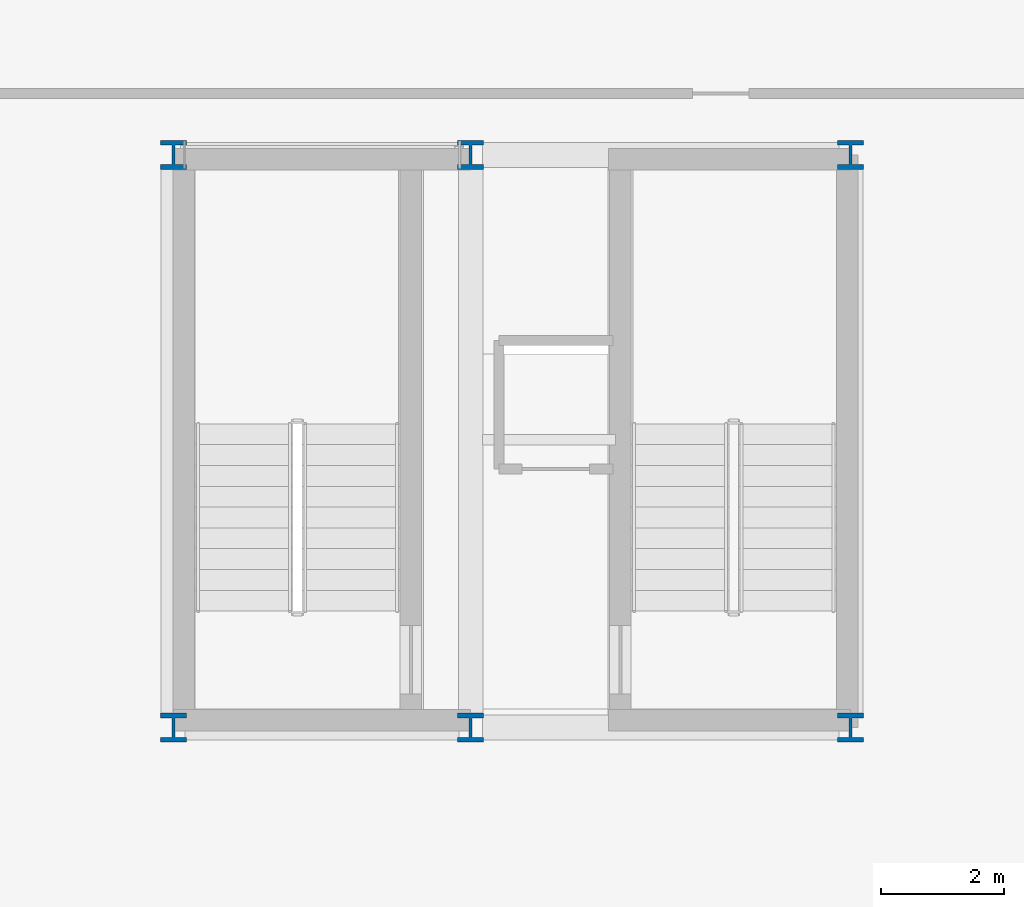
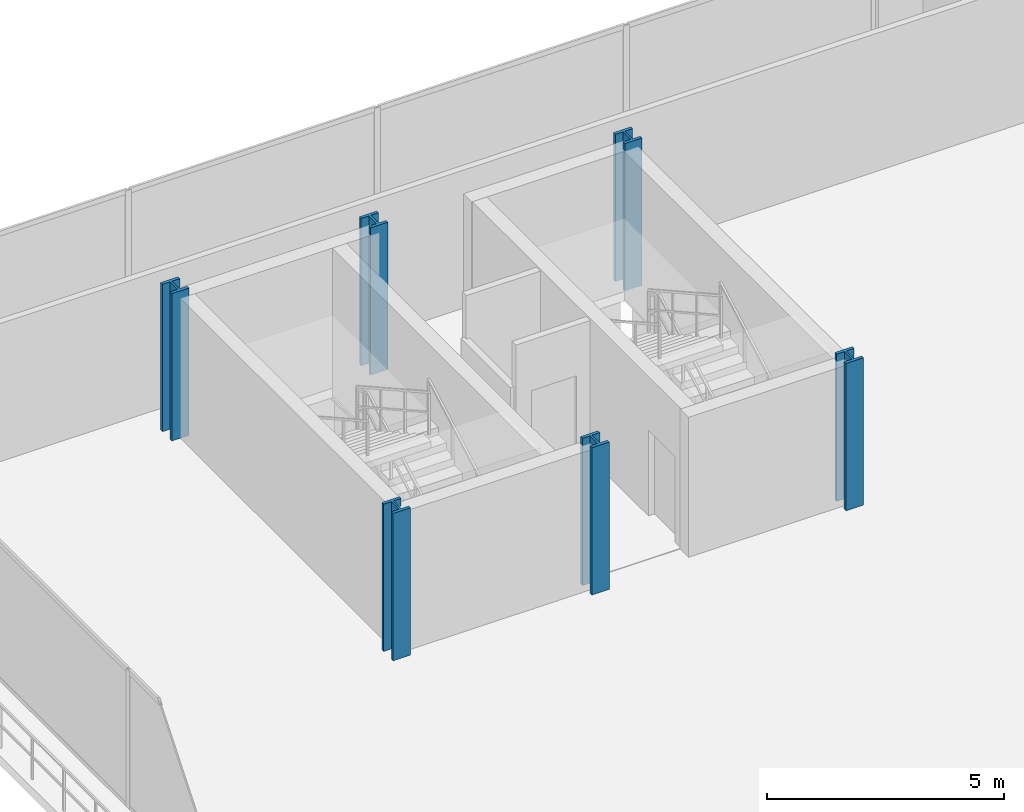
# One storey, part 1 of 19: 6 columns.
"""IFC4 building model written with IfcOpenShell, lengths in metres."""

from ifc_helpers import new_model, si_unit, direction, frame, origin, origin_2d, place, context, subcontext, project, spatial, i_section, extrude, material, material_profile, profile_set, type_object, element, save


model = new_model("IFC4")

# Units and contexts
model_context = context("Model", 3, precision=1e-05, world=origin(), true_north=direction((0.0, 1.0)))
body_context = subcontext(model_context, "Body", "Model", "MODEL_VIEW")
ifc_project = project(units=[si_unit("LENGTHUNIT", "METRE"), si_unit("AREAUNIT", "SQUARE_METRE"), si_unit("VOLUMEUNIT", "CUBIC_METRE"), si_unit("PLANEANGLEUNIT", "RADIAN"), si_unit("MASSUNIT", "GRAM", prefix="KILO")], contexts=[model_context])

# Site, building, storey
site_placement = place(None, origin())
site = spatial("IfcSite", under=ifc_project, at=site_placement, CompositionType="ELEMENT")
building_placement = place(site_placement, origin())
building = spatial("IfcBuilding", under=site, at=building_placement, Name="Zuhayl Quay Hotel", CompositionType="ELEMENT")
storey_placement = place(building_placement, frame((0.0, 0.0, 304.85009765625)))
storey = spatial("IfcBuildingStorey", under=building, at=storey_placement, Name="Crown 3", CompositionType="ELEMENT", Elevation=304.85009765625)

# Columns
ifc_material = material(Name="Steel ASTM A913 Grade 65", Category="steel")
ifc_material_profile = material_profile(ifc_material, i_section(OverallWidth=0.424072265625, OverallDepth=0.47412109375, WebThickness=0.047607421875, FlangeThickness=0.076904296875, at=origin_2d()), Name="HD400X634")
ifc_profile_set = profile_set([ifc_material_profile], Name="Steel ASTM A913 Grade 65")
column_type = type_object("IfcColumnType", Name="CL_SC1_HD634", PredefinedType="COLUMN", material=ifc_profile_set)
for number, where, z_axis, x_axis, name in (
    (1, (-9.449951171875, 25.10009765625, 0.0), (0.0, 0.0, 1.0), (1.0, 0.0, 0.0), "Crown 3 Crown Column CRC_SW"),
    (2, (-4.60009765625, 25.10009765625, 0.0), (0.0, 0.0, 1.0), (1.0, 0.0, 0.0), "Crown 3 Crown Column CRC_SM"),
    (3, (1.60009765625, 25.10009765625, 0.0), (0.0, 0.0, 1.0), (1.0, 0.0, 0.0), "Crown 3 Crown Column CRC_SE"),
    (4, (-9.449951171875, 34.449951171875, 0.0), (0.0, 0.0, 1.0), (1.0, 0.0, 0.0), "Crown 3 Crown Column CRC_NW"),
    (5, (-4.60009765625, 34.449951171875, 0.0), (0.0, 0.0, 1.0), (1.0, 0.0, 0.0), "Crown 3 Crown Column CRC_NM"),
    (6, (1.60009765625, 34.449951171875, 0.0), (0.0, 0.0, 1.0), (1.0, 0.0, 0.0), "Crown 3 Crown Column CRC_NE"),
):
    element("IfcColumn", number, at=place(storey_placement, frame(where, z_axis=z_axis, x_axis=x_axis)), inside=storey, type_object=column_type, Name=name, PredefinedType="COLUMN", context=body_context, shape_type="SweptSolid", body=[
        extrude(i_section(OverallWidth=0.424072265625, OverallDepth=0.47412109375, WebThickness=0.047607421875, FlangeThickness=0.076904296875, at=origin_2d()), origin(), (0.0, 0.0, 1.0), 3.7998046875),
    ])

save(model, "model.ifc")
